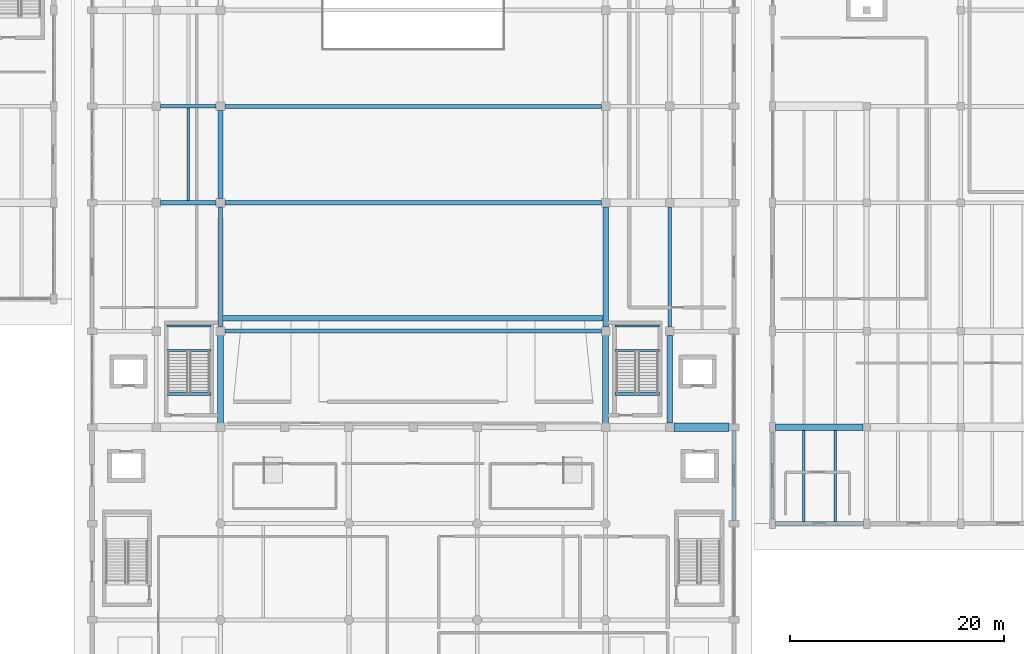
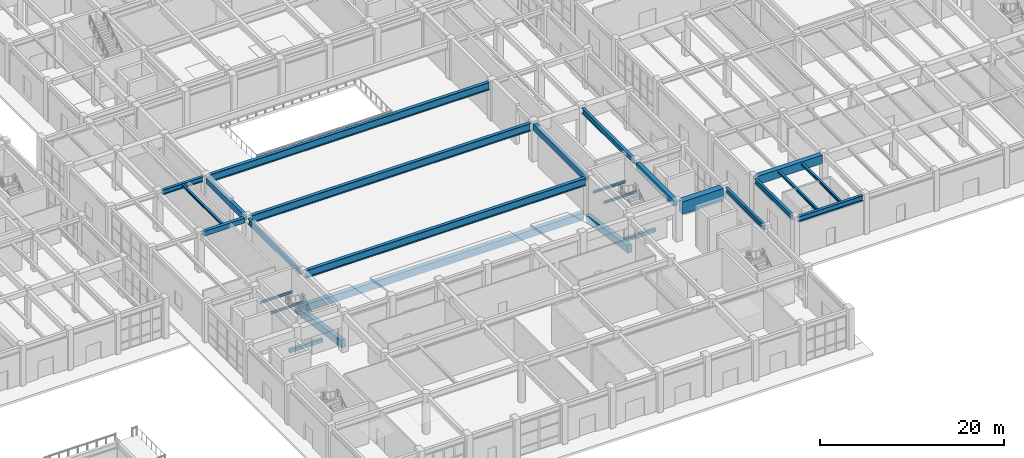
# One storey, part 23 of 91: 27 beams.
"""IFC4 building model written with IfcOpenShell, lengths in metres."""

from ifc_helpers import new_model, si_unit, direction, frame, origin, origin_2d, place, context, subcontext, project, spatial, rectangle, i_section, extrude, material, material_profile, profile_set, type_object, element, save


model = new_model("IFC4")

# Units and contexts
model_context = context("Model", 3, precision=1e-05, world=origin(), true_north=direction((0.0, 1.0)))
body_context = subcontext(model_context, "Body", "Model", "MODEL_VIEW")
ifc_project = project(units=[si_unit("LENGTHUNIT", "METRE"), si_unit("AREAUNIT", "SQUARE_METRE"), si_unit("VOLUMEUNIT", "CUBIC_METRE"), si_unit("PLANEANGLEUNIT", "RADIAN"), si_unit("MASSUNIT", "GRAM", prefix="KILO")], contexts=[model_context])

# Site, building, storey
site_placement = place(None, origin())
site = spatial("IfcSite", under=ifc_project, at=site_placement, CompositionType="ELEMENT")
building_placement = place(site_placement, origin())
building = spatial("IfcBuilding", under=site, at=building_placement, Name="Vaelkrest Opera House", CompositionType="ELEMENT")
storey_placement = place(building_placement, origin())
storey = spatial("IfcBuildingStorey", under=building, at=storey_placement, Name="L00", CompositionType="ELEMENT", Elevation=0.0)

# Beams
ifc_material_1 = material(Name="Concrete C50/60", Category="concrete")
ifc_material_profile_1 = material_profile(ifc_material_1, rectangle(XDim=0.39990234375, YDim=0.64990234375, at=origin_2d()), Name="RCB400X650")
ifc_profile_set_1 = profile_set([ifc_material_profile_1], Name="Concrete C50/60")
beam_type_1 = type_object("IfcBeamType", Name="B01", PredefinedType="BEAM", material=ifc_profile_set_1)
beam_1_placement = place(storey_placement, frame((-23.60009765625, -7.800048828125, 4.7548828125), z_axis=(1.0, 0.0, 0.0), x_axis=(0.0, 1.0, 0.0)))
element("IfcBeam", 1, at=beam_1_placement, inside=storey, type_object=beam_type_1, Name="Beam BM-V1-L00-0117", PredefinedType="BEAM", context=body_context, shape_type="SweptSolid", body=[
    extrude(rectangle(XDim=0.39990234375, YDim=0.64990234375, at=origin_2d()), origin(), (0.0, 0.0, 1.0), 5.2001953125),
])
ifc_material_profile_2 = material_profile(ifc_material_1, rectangle(XDim=0.449951171875, YDim=0.75, at=origin_2d()), Name="RCB450X750")
ifc_profile_set_2 = profile_set([ifc_material_profile_2], Name="Concrete C50/60")
beam_type_2 = type_object("IfcBeamType", Name="B02", PredefinedType="BEAM", material=ifc_profile_set_2)
beam_2_placement = place(storey_placement, frame((-18.0, -7.39990234375, 4.705078125), z_axis=(0.0, 1.0, 0.0), x_axis=(-1.0, 0.0, 0.0)))
element("IfcBeam", 2, at=beam_2_placement, inside=storey, type_object=beam_type_2, Name="Beam BM-V1-L00-0159", PredefinedType="BEAM", context=body_context, shape_type="SweptSolid", body=[
    extrude(rectangle(XDim=0.449951171875, YDim=0.75, at=origin_2d()), origin(), (0.0, 0.0, 1.0), 8.199951171875),
])
ifc_material_profile_3 = material_profile(ifc_material_1, rectangle(XDim=0.5, YDim=0.85009765625, at=origin_2d()), Name="RCB500X850")
ifc_profile_set_3 = profile_set([ifc_material_profile_3], Name="Concrete C50/60")
beam_type_3 = type_object("IfcBeamType", Name="B03", PredefinedType="BEAM", material=ifc_profile_set_3)
beam_3_placement = place(storey_placement, frame((18.0, -19.39990234375, 4.655029296875), z_axis=(0.0, 1.0, 0.0), x_axis=(-1.0, 0.0, 0.0)))
element("IfcBeam", 3, at=beam_3_placement, inside=storey, type_object=beam_type_3, Name="Beam BM-V1-L00-0172", PredefinedType="BEAM", context=body_context, shape_type="SweptSolid", body=[
    extrude(rectangle(XDim=0.5, YDim=0.85009765625, at=origin_2d()), origin(), (0.0, 0.0, 1.0), 11.199951171875),
])
beam_4_placement = place(storey_placement, frame((24.0, -28.39990234375, 4.655029296875), z_axis=(0.0, 1.0, 0.0), x_axis=(-1.0, 0.0, 0.0)))
element("IfcBeam", 4, at=beam_4_placement, inside=storey, type_object=beam_type_3, Name="Beam BM-V1-L00-0176", PredefinedType="BEAM", context=body_context, shape_type="SweptSolid", body=[
    extrude(rectangle(XDim=0.5, YDim=0.85009765625, at=origin_2d()), origin(), (0.0, 0.0, 1.0), 8.199951171875),
])
ifc_material_profile_4 = material_profile(ifc_material_1, rectangle(XDim=0.550048828125, YDim=0.949951171875, at=origin_2d()), Name="RCB550X950")
ifc_profile_set_4 = profile_set([ifc_material_profile_4], Name="Concrete C50/60")
beam_type_4 = type_object("IfcBeamType", Name="B04", PredefinedType="BEAM", material=ifc_profile_set_4)
beam_5_placement = place(storey_placement, frame((-18.0, -18.60009765625, -0.81494140625), z_axis=(1.0, 0.0, 0.0), x_axis=(0.0, 1.0, 0.0)))
element("IfcBeam", 5, at=beam_5_placement, inside=storey, type_object=beam_type_4, Name="Auditorium seating tier front girder L00", PredefinedType="BEAM", context=body_context, shape_type="SweptSolid", body=[
    extrude(rectangle(XDim=0.550048828125, YDim=0.949951171875, at=origin_2d()), origin(), (0.0, 0.0, 1.0), 36.0),
])
for number, where, z_axis, x_axis, name in (
    (6, (-18.0, -19.800048828125, -0.452880859375), (0.0, -0.989448492108, 0.144885062945), (1.0, 0.0, 0.0), "Auditorium raker beam 1"),
    (7, (18.0, -19.800048828125, -0.452880859375), (0.0, -0.989448492108, 0.144885062945), (1.0, 0.0, 0.0), "Auditorium raker beam 2"),
):
    element("IfcBeam", number, at=place(storey_placement, frame(where, z_axis=z_axis, x_axis=x_axis)), inside=storey, type_object=beam_type_4, Name=name, PredefinedType="BEAM", context=body_context, shape_type="SweptSolid", body=[
        extrude(rectangle(XDim=0.550048828125, YDim=0.949951171875, at=origin_2d()), origin(), (0.0, 0.0, 1.0), 9.095947265625),
    ])
ifc_material_profile_5 = material_profile(ifc_material_1, rectangle(XDim=0.60009765625, YDim=1.10009765625, at=origin_2d()), Name="RCB600X1100")
ifc_profile_set_5 = profile_set([ifc_material_profile_5], Name="Concrete C50/60")
beam_type_5 = type_object("IfcBeamType", Name="B05", PredefinedType="BEAM", material=ifc_profile_set_5)
beam_6_placement = place(storey_placement, frame((33.89990234375, -28.800048828125, 4.530029296875), z_axis=(1.0, 0.0, 0.0), x_axis=(0.0, 1.0, 0.0)))
element("IfcBeam", 8, at=beam_6_placement, inside=storey, type_object=beam_type_5, Name="Beam BM-V4-L00-1950", PredefinedType="BEAM", context=body_context, shape_type="SweptSolid", body=[
    extrude(rectangle(XDim=0.60009765625, YDim=1.10009765625, at=origin_2d()), origin(), (0.0, 0.0, 1.0), 8.150146484375),
])
ifc_material_profile_6 = material_profile(ifc_material_1, rectangle(XDim=0.800048828125, YDim=1.64990234375, at=origin_2d()), Name="RCB800X1650")
ifc_profile_set_6 = profile_set([ifc_material_profile_6], Name="Concrete C50/60")
beam_type_6 = type_object("IfcBeamType", Name="B07", PredefinedType="BEAM", material=ifc_profile_set_6)
beam_7_placement = place(storey_placement, frame((24.39990234375, -28.800048828125, 4.2548828125), z_axis=(1.0, 0.0, 0.0), x_axis=(0.0, 1.0, 0.0)))
element("IfcBeam", 9, at=beam_7_placement, inside=storey, type_object=beam_type_6, Name="Beam BM-V1-L00-0112", PredefinedType="BEAM", context=body_context, shape_type="SweptSolid", body=[
    extrude(rectangle(XDim=0.800048828125, YDim=1.64990234375, at=origin_2d()), origin(), (0.0, 0.0, 1.0), 5.150146484375),
])
ifc_material_2 = material(Name="Steel A992 Gr50", Category="steel")
ifc_material_profile_7 = material_profile(ifc_material_2, i_section(OverallWidth=0.327880859375, OverallDepth=0.6279296875, WebThickness=0.0166015625, FlangeThickness=0.027587890625, at=origin_2d()), Name="W24X146")
ifc_profile_set_7 = profile_set([ifc_material_profile_7], Name="Steel A992 Gr50")
beam_type_7 = type_object("IfcBeamType", Name="B09", PredefinedType="BEAM", material=ifc_profile_set_7)
beam_8_placement = place(storey_placement, frame((-23.60009765625, 1.199951171875, 4.76611328125), z_axis=(1.0, 0.0, 0.0), x_axis=(0.0, 1.0, 0.0)))
element("IfcBeam", 10, at=beam_8_placement, inside=storey, type_object=beam_type_7, Name="Beam BM-V1-L00-0122", PredefinedType="BEAM", context=body_context, shape_type="SweptSolid", body=[
    extrude(i_section(OverallWidth=0.327880859375, OverallDepth=0.6279296875, WebThickness=0.0166015625, FlangeThickness=0.027587890625, at=origin_2d()), origin(), (0.0, 0.0, 1.0), 5.2001953125),
])
ifc_material_profile_8 = material_profile(ifc_material_2, i_section(OverallWidth=0.35498046875, OverallDepth=0.695068359375, WebThickness=0.015380859375, FlangeThickness=0.02490234375, at=origin_2d()), Name="W27X146")
ifc_profile_set_8 = profile_set([ifc_material_profile_8], Name="Steel A992 Gr50")
beam_type_8 = type_object("IfcBeamType", Name="B10", PredefinedType="BEAM", material=ifc_profile_set_8)
beam_9_placement = place(storey_placement, frame((24.0, -19.39990234375, 4.732421875), z_axis=(0.0, 1.0, 0.0), x_axis=(-1.0, 0.0, 0.0)))
element("IfcBeam", 11, at=beam_9_placement, inside=storey, type_object=beam_type_8, Name="Beam BM-V1-L00-0177", PredefinedType="BEAM", context=body_context, shape_type="SweptSolid", body=[
    extrude(i_section(OverallWidth=0.35498046875, OverallDepth=0.695068359375, WebThickness=0.015380859375, FlangeThickness=0.02490234375, at=origin_2d()), origin(), (0.0, 0.0, 1.0), 11.199951171875),
])
ifc_material_profile_9 = material_profile(ifc_material_2, i_section(OverallWidth=0.35791015625, OverallDepth=0.7060546875, WebThickness=0.018310546875, FlangeThickness=0.0302734375, at=origin_2d()), Name="W27X178")
ifc_profile_set_9 = profile_set([ifc_material_profile_9], Name="Steel A992 Gr50")
beam_type_9 = type_object("IfcBeamType", Name="B14", PredefinedType="BEAM", material=ifc_profile_set_9)
beam_10_placement = place(storey_placement, frame((-18.0, -19.39990234375, 4.72705078125), z_axis=(0.0, 1.0, 0.0), x_axis=(-1.0, 0.0, 0.0)))
element("IfcBeam", 12, at=beam_10_placement, inside=storey, type_object=beam_type_9, Name="Beam BM-V1-L00-0158", PredefinedType="BEAM", context=body_context, shape_type="SweptSolid", body=[
    extrude(i_section(OverallWidth=0.35791015625, OverallDepth=0.7060546875, WebThickness=0.018310546875, FlangeThickness=0.0302734375, at=origin_2d()), origin(), (0.0, 0.0, 1.0), 11.199951171875),
])
ifc_material_profile_10 = material_profile(ifc_material_2, i_section(OverallWidth=0.39990234375, OverallDepth=1.02197265625, WebThickness=0.01904296875, FlangeThickness=0.0361328125, at=origin_2d()), Name="W40X249")
ifc_profile_set_10 = profile_set([ifc_material_profile_10], Name="Steel A992 Gr50")
beam_type_10 = type_object("IfcBeamType", Name="B15", PredefinedType="BEAM", material=ifc_profile_set_10)
for number, where, z_axis, x_axis, name in (
    (13, (-17.60009765625, -19.800048828125, 4.569091796875), (1.0, 0.0, 0.0), (0.0, 1.0, 0.0), "Beam BM-V1-L00-0114"),
    (14, (-17.60009765625, -7.800048828125, 4.569091796875), (1.0, 0.0, 0.0), (0.0, 1.0, 0.0), "Beam BM-V1-L00-0118"),
    (15, (-17.60009765625, 1.199951171875, 4.569091796875), (1.0, 0.0, 0.0), (0.0, 1.0, 0.0), "Beam BM-V1-L00-0123"),
):
    element("IfcBeam", number, at=place(storey_placement, frame(where, z_axis=z_axis, x_axis=x_axis)), inside=storey, type_object=beam_type_10, Name=name, PredefinedType="BEAM", context=body_context, shape_type="SweptSolid", body=[
        extrude(i_section(OverallWidth=0.39990234375, OverallDepth=1.02197265625, WebThickness=0.01904296875, FlangeThickness=0.0361328125, at=origin_2d()), origin(), (0.0, 0.0, 1.0), 35.2001953125),
    ])
ifc_material_profile_11 = material_profile(ifc_material_2, i_section(OverallWidth=0.202880859375, OverallDepth=0.302978515625, WebThickness=0.007568359375, FlangeThickness=0.01318359375, at=origin_2d()), Name="W12X40")
ifc_profile_set_11 = profile_set([ifc_material_profile_11], Name="Steel A992 Gr50")
beam_type_11 = type_object("IfcBeamType", Name="J02", PredefinedType="JOIST", material=ifc_profile_set_11)
for number, where, z_axis, x_axis, name in (
    (16, (-23.02001953125, -21.610107421875, 2.348388671875), (1.0, 0.0, 0.0), (0.0, 1.0, 0.0), "Stair landing bearer beam ST01 L00-1N"),
    (17, (-23.02001953125, -19.320068359375, 2.348388671875), (1.0, 0.0, 0.0), (0.0, 1.0, 0.0), "Stair landing bearer beam ST01 L00-1F"),
    (18, (18.8798828125, -21.610107421875, 2.348388671875), (1.0, 0.0, 0.0), (0.0, 1.0, 0.0), "Stair landing bearer beam ST02 L00-1N"),
    (19, (18.8798828125, -19.320068359375, 2.348388671875), (1.0, 0.0, 0.0), (0.0, 1.0, 0.0), "Stair landing bearer beam ST02 L00-1F"),
):
    element("IfcBeam", number, at=place(storey_placement, frame(where, z_axis=z_axis, x_axis=x_axis)), inside=storey, type_object=beam_type_11, Name=name, PredefinedType="JOIST", context=body_context, shape_type="SweptSolid", body=[
        extrude(i_section(OverallWidth=0.202880859375, OverallDepth=0.302978515625, WebThickness=0.007568359375, FlangeThickness=0.01318359375, at=origin_2d()), origin(), (0.0, 0.0, 1.0), 4.14013671875),
    ])
ifc_material_profile_12 = material_profile(ifc_material_2, i_section(OverallWidth=0.25390625, OverallDepth=0.305908203125, WebThickness=0.0087890625, FlangeThickness=0.0146484375, at=origin_2d()), Name="W12X53")
ifc_profile_set_12 = profile_set([ifc_material_profile_12], Name="Steel A992 Gr50")
beam_type_12 = type_object("IfcBeamType", Name="J03", PredefinedType="JOIST", material=ifc_profile_set_12)
beam_11_placement = place(storey_placement, frame((-21.0, -7.60009765625, 4.927001953125), z_axis=(0.0, 1.0, 0.0), x_axis=(-1.0, 0.0, 0.0)))
element("IfcBeam", 20, at=beam_11_placement, inside=storey, type_object=beam_type_12, Name="Floor joist JST-V1-L00-0193", PredefinedType="JOIST", context=body_context, shape_type="SweptSolid", body=[
    extrude(i_section(OverallWidth=0.25390625, OverallDepth=0.305908203125, WebThickness=0.0087890625, FlangeThickness=0.0146484375, at=origin_2d()), origin(), (0.0, 0.0, 1.0), 8.635986328125),
])
ifc_material_profile_13 = material_profile(ifc_material_2, i_section(OverallWidth=0.2548828125, OverallDepth=0.35693359375, WebThickness=0.010498046875, FlangeThickness=0.018310546875, at=origin_2d()), Name="W14X68")
ifc_profile_set_13 = profile_set([ifc_material_profile_13], Name="Steel A992 Gr50")
beam_type_13 = type_object("IfcBeamType", Name="J05", PredefinedType="JOIST", material=ifc_profile_set_13)
beam_12_placement = place(storey_placement, frame((36.532958984375, -37.62255859375, 4.901611328125), z_axis=(0.0, 1.0, 0.0), x_axis=(-1.0, 0.0, 0.0)))
element("IfcBeam", 21, at=beam_12_placement, inside=storey, type_object=beam_type_13, Name="Floor joist JST-V4-L00-2045", PredefinedType="JOIST", context=body_context, shape_type="SweptSolid", body=[
    extrude(i_section(OverallWidth=0.2548828125, OverallDepth=0.35693359375, WebThickness=0.010498046875, FlangeThickness=0.018310546875, at=origin_2d()), origin(), (0.0, 0.0, 1.0), 8.5224609375),
])
ifc_material_profile_14 = material_profile(ifc_material_2, i_section(OverallWidth=0.257080078125, OverallDepth=0.363037109375, WebThickness=0.012939453125, FlangeThickness=0.021728515625, at=origin_2d()), Name="W14X82")
ifc_profile_set_14 = profile_set([ifc_material_profile_14], Name="Steel A992 Gr50")
beam_type_14 = type_object("IfcBeamType", Name="J06", PredefinedType="JOIST", material=ifc_profile_set_14)
beam_13_placement = place(storey_placement, frame((39.467041015625, -37.62255859375, 4.8984375), z_axis=(0.0, 1.0, 0.0), x_axis=(-1.0, 0.0, 0.0)))
element("IfcBeam", 22, at=beam_13_placement, inside=storey, type_object=beam_type_14, Name="Floor joist JST-V4-L00-2046", PredefinedType="JOIST", context=body_context, shape_type="SweptSolid", body=[
    extrude(i_section(OverallWidth=0.257080078125, OverallDepth=0.363037109375, WebThickness=0.012939453125, FlangeThickness=0.021728515625, at=origin_2d()), origin(), (0.0, 0.0, 1.0), 8.5224609375),
])
ifc_material_profile_15 = material_profile(ifc_material_1, rectangle(XDim=0.35009765625, YDim=0.449951171875, at=origin_2d()), Name="RCB350X450")
ifc_profile_set_15 = profile_set([ifc_material_profile_15], Name="Concrete C50/60")
beam_type_15 = type_object("IfcBeamType", Name="LN01", PredefinedType="LINTEL", material=ifc_profile_set_15)
for number, where, z_axis, x_axis, name in (
    (23, (-23.02001953125, -25.64990234375, -0.22509765625), (1.0, 0.0, 0.0), (0.0, 1.0, 0.0), "Stairwell trimmer beam ST01 L00"),
    (24, (18.8798828125, -25.64990234375, -0.22509765625), (1.0, 0.0, 0.0), (0.0, 1.0, 0.0), "Stairwell trimmer beam ST02 L00"),
):
    element("IfcBeam", number, at=place(storey_placement, frame(where, z_axis=z_axis, x_axis=x_axis)), inside=storey, type_object=beam_type_15, Name=name, PredefinedType="LINTEL", context=body_context, shape_type="SweptSolid", body=[
        extrude(rectangle(XDim=0.35009765625, YDim=0.449951171875, at=origin_2d()), origin(), (0.0, 0.0, 1.0), 4.14013671875),
    ])
ifc_material_profile_16 = material_profile(ifc_material_2, i_section(OverallWidth=0.323974609375, OverallDepth=0.611083984375, WebThickness=0.0126953125, FlangeThickness=0.01904296875, at=origin_2d()), Name="W24X104")
ifc_profile_set_16 = profile_set([ifc_material_profile_16], Name="Steel A992 Gr50")
beam_type_16 = type_object("IfcBeamType", Name="SP01", PredefinedType="SPANDREL", material=ifc_profile_set_16)
beam_14_placement = place(storey_placement, frame((30.0, -37.5, 4.7744140625), z_axis=(0.0, 1.0, 0.0), x_axis=(-1.0, 0.0, 0.0)))
element("IfcBeam", 25, at=beam_14_placement, inside=storey, type_object=beam_type_16, Name="Beam BM-V1-L00-0183", PredefinedType="SPANDREL", context=body_context, shape_type="SweptSolid", body=[
    extrude(i_section(OverallWidth=0.323974609375, OverallDepth=0.611083984375, WebThickness=0.0126953125, FlangeThickness=0.01904296875, at=origin_2d()), origin(), (0.0, 0.0, 1.0), 8.39990234375),
])
beam_15_placement = place(storey_placement, frame((33.60009765625, -37.35009765625, 4.7744140625), z_axis=(0.0, 1.0, 0.0), x_axis=(-1.0, 0.0, 0.0)))
element("IfcBeam", 26, at=beam_15_placement, inside=storey, type_object=beam_type_16, Name="Beam BM-V4-L00-1993", PredefinedType="SPANDREL", context=body_context, shape_type="SweptSolid", body=[
    extrude(i_section(OverallWidth=0.323974609375, OverallDepth=0.611083984375, WebThickness=0.0126953125, FlangeThickness=0.01904296875, at=origin_2d()), origin(), (0.0, 0.0, 1.0), 8.10009765625),
])
ifc_material_profile_17 = material_profile(ifc_material_2, i_section(OverallWidth=0.35498046875, OverallDepth=0.695068359375, WebThickness=0.015380859375, FlangeThickness=0.02490234375, at=origin_2d()), Name="W27X146")
ifc_profile_set_17 = profile_set([ifc_material_profile_17], Name="Steel A992 Gr50")
beam_type_17 = type_object("IfcBeamType", Name="SP02", PredefinedType="SPANDREL", material=ifc_profile_set_17)
beam_16_placement = place(storey_placement, frame((33.89990234375, -37.800048828125, 4.732421875), z_axis=(1.0, 0.0, 0.0), x_axis=(0.0, 1.0, 0.0)))
element("IfcBeam", 27, at=beam_16_placement, inside=storey, type_object=beam_type_17, Name="Beam BM-V4-L00-1944", PredefinedType="SPANDREL", context=body_context, shape_type="SweptSolid", body=[
    extrude(i_section(OverallWidth=0.35498046875, OverallDepth=0.695068359375, WebThickness=0.015380859375, FlangeThickness=0.02490234375, at=origin_2d()), origin(), (0.0, 0.0, 1.0), 8.2001953125),
])

save(model, "model.ifc")
